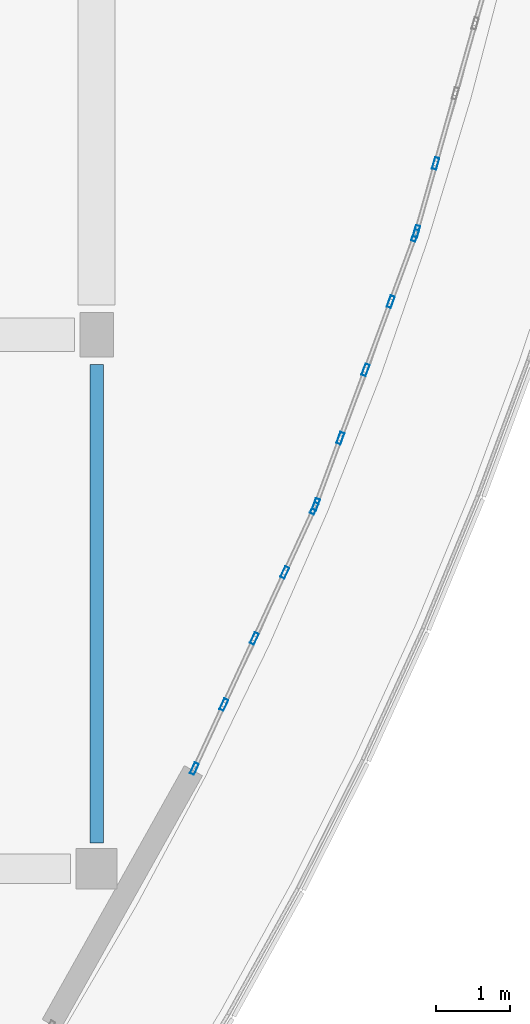
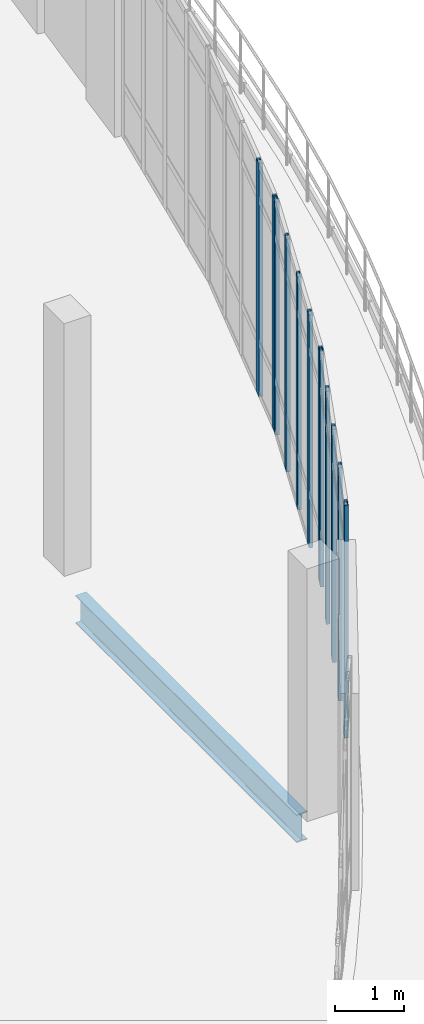
# One storey, part 59 of 134: 12 members, 1 beam, 3 elements without a shape of their own.
"""IFC4 building model written with IfcOpenShell, lengths in metres."""

from ifc_helpers import new_model, si_unit, direction, frame, origin, origin_2d, place, context, subcontext, project, spatial, hollow_rectangle, i_section, extrude, material, material_profile, profile_set, type_object, element, aggregate, save


model = new_model("IFC4")

# Units and contexts
model_context = context("Model", 3, precision=1e-05, world=origin(), true_north=direction((0.0, 1.0)))
body_context = subcontext(model_context, "Body", "Model", "MODEL_VIEW")
ifc_project = project(units=[si_unit("LENGTHUNIT", "METRE"), si_unit("AREAUNIT", "SQUARE_METRE"), si_unit("VOLUMEUNIT", "CUBIC_METRE"), si_unit("PLANEANGLEUNIT", "RADIAN"), si_unit("MASSUNIT", "GRAM", prefix="KILO")], contexts=[model_context])

# Site, building, storey
site_placement = place(None, origin())
site = spatial("IfcSite", under=ifc_project, at=site_placement, CompositionType="ELEMENT")
building_placement = place(site_placement, origin())
building = spatial("IfcBuilding", under=site, at=building_placement, Name="Kalluvel Institute of Natural Sciences", CompositionType="ELEMENT")
storey_placement = place(building_placement, frame((0.0, 0.0, 5.39990234375)))
storey = spatial("IfcBuildingStorey", under=building, at=storey_placement, Name="L01", CompositionType="ELEMENT", Elevation=5.39990234375)

# Beam
ifc_material_1 = material(Name="Steel E350 Grade 350", Category="steel")
ifc_material_profile_1 = material_profile(ifc_material_1, i_section(OverallWidth=0.179931640625, OverallDepth=0.5, WebThickness=0.01025390625, FlangeThickness=0.01708984375, FilletRadius=0.01708984375, at=origin_2d()), Name="ISMB 500")
ifc_profile_set_1 = profile_set([ifc_material_profile_1], Name="Steel E350 Grade 350")
beam_type = type_object("IfcBeamType", Name="BM-ISMB500", PredefinedType="BEAM", material=ifc_profile_set_1)
beam_placement = place(storey_placement, frame((78.800048828125, 79.14990234375, -0.56982421875), z_axis=(0.0, 1.0, 0.0), x_axis=(-1.0, 0.0, 0.0)))
element("IfcBeam", 1, at=beam_placement, inside=storey, type_object=beam_type, Name="L01 girder GIR-L01-NS-X788-Y788", PredefinedType="BEAM", context=body_context, shape_type="SweptSolid", body=[
    extrude(i_section(OverallWidth=0.179931640625, OverallDepth=0.5, WebThickness=0.01025390625, FlangeThickness=0.01708984375, FilletRadius=0.01708984375, at=origin_2d()), origin(), (0.0, 0.0, 1.0), 6.4501953125),
])

# Curtain wall, members
ifc_material_2 = material(Name="Aluminium AW-6063 T6", Category="aluminium")
curtain_wall_type = type_object("IfcCurtainWallType", Name="CW-ATR-ARC", PredefinedType="USERDEFINED", material=ifc_material_2)
curtain_wall_1_placement = place(storey_placement, origin())
curtain_wall_1 = element("IfcCurtainWall", 2, at=curtain_wall_1_placement, inside=storey, type_object=curtain_wall_type, Name="L01 Gothic lancet curtain wall CWA-L01-X801-Y801", ObjectType="UNITISED LANCET FACADE", PredefinedType="USERDEFINED")
ifc_material_profile_2 = material_profile(ifc_material_2, hollow_rectangle(XDim=0.06005859375, YDim=0.159912109375, WallThickness=0.00390625, at=origin_2d()), Name="CWM 60x160")
ifc_profile_set_2 = profile_set([ifc_material_profile_2], Name="Aluminium AW-6063 T6")
member_type = type_object("IfcMemberType", Name="CWM-60x160", PredefinedType="MULLION", material=ifc_profile_set_2)
member_1_placement = place(storey_placement, frame((80.118408203125, 80.150390625, 0.0), z_axis=(0.0, 0.0, 1.0), x_axis=(-0.908144365277, 0.418657153068, 0.0)))
member_1 = element("IfcMember", 3, at=member_1_placement, type_object=member_type, Name="CW-05 mullion 1", PredefinedType="MULLION", context=body_context, shape_type="SweptSolid", body=[
    extrude(hollow_rectangle(XDim=0.06005859375, YDim=0.159912109375, WallThickness=0.00390625, at=origin_2d()), origin(), (0.0, 0.0, 1.0), 4.150146484375),
])
member_2_placement = place(storey_placement, frame((80.516357421875, 81.013671875, 0.0), z_axis=(0.0, 0.0, 1.0), x_axis=(-0.908144365277, 0.418657153068, 0.0)))
member_2 = element("IfcMember", 4, at=member_2_placement, type_object=member_type, Name="CW-05 mullion 2", PredefinedType="MULLION", context=body_context, shape_type="SweptSolid", body=[
    extrude(hollow_rectangle(XDim=0.06005859375, YDim=0.159912109375, WallThickness=0.00390625, at=origin_2d()), origin(), (0.0, 0.0, 1.0), 4.150146484375),
])
member_3_placement = place(storey_placement, frame((80.9267578125, 81.904052734375, 0.0), z_axis=(0.0, 0.0, 1.0), x_axis=(-0.908144365277, 0.418657153068, 0.0)))
member_3 = element("IfcMember", 5, at=member_3_placement, type_object=member_type, Name="CW-05 mullion 3", PredefinedType="MULLION", context=body_context, shape_type="SweptSolid", body=[
    extrude(hollow_rectangle(XDim=0.06005859375, YDim=0.159912109375, WallThickness=0.00390625, at=origin_2d()), origin(), (0.0, 0.0, 1.0), 4.150146484375),
])
member_4_placement = place(storey_placement, frame((81.33740234375, 82.79443359375, 0.0), z_axis=(0.0, 0.0, 1.0), x_axis=(-0.908144365277, 0.418657153068, 0.0)))
member_4 = element("IfcMember", 6, at=member_4_placement, type_object=member_type, Name="CW-05 mullion 4", PredefinedType="MULLION", context=body_context, shape_type="SweptSolid", body=[
    extrude(hollow_rectangle(XDim=0.06005859375, YDim=0.159912109375, WallThickness=0.00390625, at=origin_2d()), origin(), (0.0, 0.0, 1.0), 4.150146484375),
])
member_5_placement = place(storey_placement, frame((81.7353515625, 83.65771484375, 0.0), z_axis=(0.0, 0.0, 1.0), x_axis=(-0.908144365277, 0.418657153068, 0.0)))
member_5 = element("IfcMember", 7, at=member_5_placement, type_object=member_type, Name="CW-05 mullion 5", PredefinedType="MULLION", context=body_context, shape_type="SweptSolid", body=[
    extrude(hollow_rectangle(XDim=0.06005859375, YDim=0.159912109375, WallThickness=0.00390625, at=origin_2d()), origin(), (0.0, 0.0, 1.0), 4.150146484375),
])
aggregate(curtain_wall_1, [member_1, member_2, member_3, member_4, member_5])

curtain_wall_2_placement = place(storey_placement, origin())
curtain_wall_2 = element("IfcCurtainWall", 8, at=curtain_wall_2_placement, inside=storey, type_object=curtain_wall_type, Name="L01 Gothic lancet curtain wall CWA-L01-X817-Y837", ObjectType="UNITISED LANCET FACADE", PredefinedType="USERDEFINED")
member_6_placement = place(storey_placement, frame((81.75830078125, 83.713134765625, 0.0), z_axis=(0.0, 0.0, 1.0), x_axis=(-0.938189357766, 0.346122419058, 0.0)))
member_6 = element("IfcMember", 9, at=member_6_placement, type_object=member_type, Name="CW-05 mullion 1", PredefinedType="MULLION", context=body_context, shape_type="SweptSolid", body=[
    extrude(hollow_rectangle(XDim=0.06005859375, YDim=0.159912109375, WallThickness=0.00390625, at=origin_2d()), origin(), (0.0, 0.0, 1.0), 4.150146484375),
])
member_7_placement = place(storey_placement, frame((82.087158203125, 84.60498046875, 0.0), z_axis=(0.0, 0.0, 1.0), x_axis=(-0.938189357766, 0.346122419058, 0.0)))
member_7 = element("IfcMember", 10, at=member_7_placement, type_object=member_type, Name="CW-05 mullion 2", PredefinedType="MULLION", context=body_context, shape_type="SweptSolid", body=[
    extrude(hollow_rectangle(XDim=0.06005859375, YDim=0.159912109375, WallThickness=0.00390625, at=origin_2d()), origin(), (0.0, 0.0, 1.0), 4.150146484375),
])
member_8_placement = place(storey_placement, frame((82.426513671875, 85.52490234375, 0.0), z_axis=(0.0, 0.0, 1.0), x_axis=(-0.938189357766, 0.346122419058, 0.0)))
member_8 = element("IfcMember", 11, at=member_8_placement, type_object=member_type, Name="CW-05 mullion 3", PredefinedType="MULLION", context=body_context, shape_type="SweptSolid", body=[
    extrude(hollow_rectangle(XDim=0.06005859375, YDim=0.159912109375, WallThickness=0.00390625, at=origin_2d()), origin(), (0.0, 0.0, 1.0), 4.150146484375),
])
member_9_placement = place(storey_placement, frame((82.765869140625, 86.444580078125, 0.0), z_axis=(0.0, 0.0, 1.0), x_axis=(-0.938189357766, 0.346122419058, 0.0)))
member_9 = element("IfcMember", 12, at=member_9_placement, type_object=member_type, Name="CW-05 mullion 4", PredefinedType="MULLION", context=body_context, shape_type="SweptSolid", body=[
    extrude(hollow_rectangle(XDim=0.06005859375, YDim=0.159912109375, WallThickness=0.00390625, at=origin_2d()), origin(), (0.0, 0.0, 1.0), 4.150146484375),
])
member_10_placement = place(storey_placement, frame((83.094970703125, 87.33642578125, 0.0), z_axis=(0.0, 0.0, 1.0), x_axis=(-0.938189357766, 0.346122419058, 0.0)))
member_10 = element("IfcMember", 13, at=member_10_placement, type_object=member_type, Name="CW-05 mullion 5", PredefinedType="MULLION", context=body_context, shape_type="SweptSolid", body=[
    extrude(hollow_rectangle(XDim=0.06005859375, YDim=0.159912109375, WallThickness=0.00390625, at=origin_2d()), origin(), (0.0, 0.0, 1.0), 4.150146484375),
])
aggregate(curtain_wall_2, [member_6, member_7, member_8, member_9, member_10])

curtain_wall_3_placement = place(storey_placement, origin())
curtain_wall_3 = element("IfcCurtainWall", 14, at=curtain_wall_3_placement, inside=storey, type_object=curtain_wall_type, Name="L01 Gothic lancet curtain wall CWA-L01-X831-Y874", ObjectType="UNITISED LANCET FACADE", PredefinedType="USERDEFINED")
member_11_placement = place(storey_placement, frame((83.113525390625, 87.3935546875, 0.0), z_axis=(0.0, 0.0, 1.0), x_axis=(-0.962455483212, 0.271439574924, 0.0)))
member_11 = element("IfcMember", 15, at=member_11_placement, type_object=member_type, Name="CW-05 mullion 1", PredefinedType="MULLION", context=body_context, shape_type="SweptSolid", body=[
    extrude(hollow_rectangle(XDim=0.06005859375, YDim=0.159912109375, WallThickness=0.00390625, at=origin_2d()), origin(), (0.0, 0.0, 1.0), 4.150146484375),
])
member_12_placement = place(storey_placement, frame((83.371337890625, 88.308349609375, 0.0), z_axis=(0.0, 0.0, 1.0), x_axis=(-0.962455483212, 0.271439574924, 0.0)))
member_12 = element("IfcMember", 16, at=member_12_placement, type_object=member_type, Name="CW-05 mullion 2", PredefinedType="MULLION", context=body_context, shape_type="SweptSolid", body=[
    extrude(hollow_rectangle(XDim=0.06005859375, YDim=0.159912109375, WallThickness=0.00390625, at=origin_2d()), origin(), (0.0, 0.0, 1.0), 4.150146484375),
])
aggregate(curtain_wall_3, [member_11, member_12])

save(model, "model.ifc")
